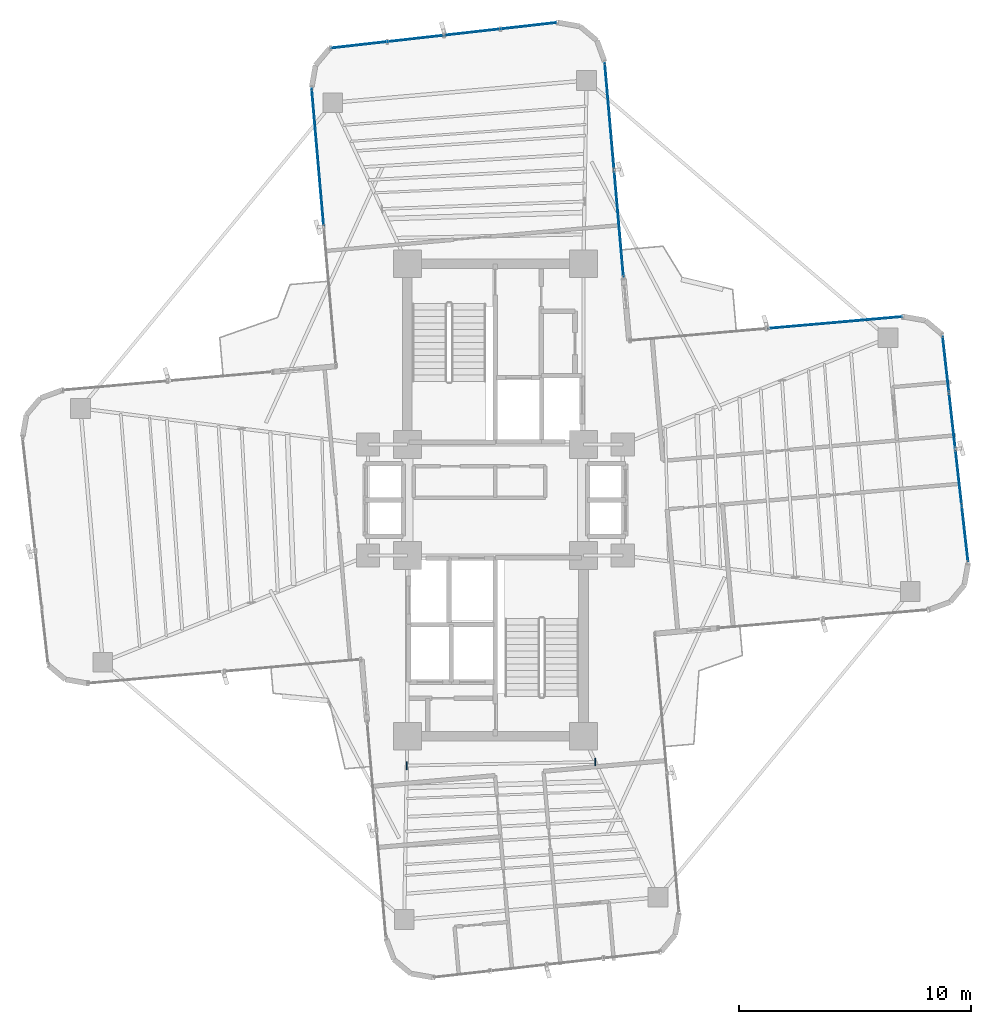
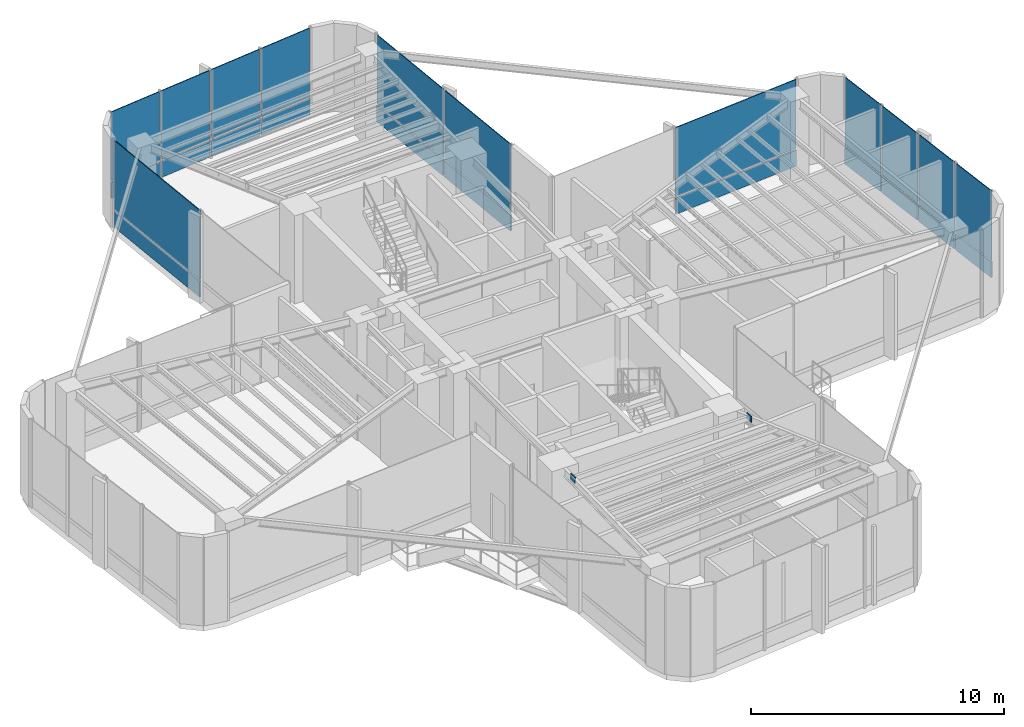
# One storey, part 14 of 19: 26 plates, 5 elements without a shape of their own.
"""IFC4 building model written with IfcOpenShell, lengths in metres."""

from ifc_helpers import new_model, si_unit, direction, frame, origin, origin_2d, place, context, subcontext, project, spatial, rectangle, extrude, source, transform, mapped, material, layer, layer_set, type_object, element, aggregate, save


model = new_model("IFC4")

# Units and contexts
model_context = context("Model", 3, precision=1e-05, world=origin(), true_north=direction((0.0, 1.0)))
body_context = subcontext(model_context, "Body", "Model", "MODEL_VIEW")
ifc_project = project(units=[si_unit("LENGTHUNIT", "METRE"), si_unit("AREAUNIT", "SQUARE_METRE"), si_unit("VOLUMEUNIT", "CUBIC_METRE"), si_unit("PLANEANGLEUNIT", "RADIAN"), si_unit("MASSUNIT", "GRAM", prefix="KILO")], contexts=[model_context])

# Site, building, storey
site_placement = place(None, origin())
site = spatial("IfcSite", under=ifc_project, at=site_placement, CompositionType="ELEMENT")
building_placement = place(site_placement, origin())
building = spatial("IfcBuilding", under=site, at=building_placement, Name="Sahyath Konkavel Grand Hotel", CompositionType="ELEMENT")
storey_placement = place(building_placement, frame((0.0, 0.0, 142.75)))
storey = spatial("IfcBuildingStorey", under=building, at=storey_placement, Name="L39", CompositionType="ELEMENT", Elevation=142.75)

# Plates
ifc_material_1 = material(Name="Steel E450", Category="steel")
plate_type_1 = type_object("IfcPlateType", Name="GUSSET-END-35", PredefinedType="USERDEFINED", material=ifc_material_1)
shared_shape_1 = source(origin(), body_context, "Body", "SweptSolid", [
    extrude(rectangle(XDim=0.0400390625, YDim=0.340087890625, at=origin_2d()), origin(), (0.0, 0.0, 1.0), 0.300048828125),
])
for number, where, z_axis, x_axis, name in (
    (1, (-3.82177734375, -11.4658203125, 4.0), (0.0, 0.0, 1.0), (0.999822352381, 0.018848439715, 0.0), "L39 Sub-Beam S-1 End Cap A"),
    (2, (4.3154296875, -11.3125, 4.0), (0.0, 0.0, 1.0), (0.999822352381, 0.018848439715, 0.0), "L39 Sub-Beam S-1 End Cap B"),
):
    element("IfcPlate", number, at=place(storey_placement, frame(where, z_axis=z_axis, x_axis=x_axis)), inside=storey, type_object=plate_type_1, Name=name, ObjectType="GUSSET_PLATE", PredefinedType="USERDEFINED", context=body_context, shape_type="MappedRepresentation", body=[
        mapped(shared_shape_1, transform((0.0, 0.0, 0.0), scale=1.0)),
    ])

# Curtain wall, plates
ifc_material_2 = material(Name="Anodised Bronze Aluminium & Low-E Glazing", Category="aluminium")
curtain_wall_type = type_object("IfcCurtainWallType", Name="CW-SKYLOBBY", PredefinedType="NOTDEFINED", material=ifc_material_2)
curtain_wall_1_placement = place(storey_placement, origin())
curtain_wall_1 = element("IfcCurtainWall", 3, at=curtain_wall_1_placement, inside=storey, type_object=curtain_wall_type, Name="L39 Unitised Curtain Wall F4", PredefinedType="NOTDEFINED")
ifc_material_3 = material(Name="Warm Buff Sandstone Cladding", Category="masonry")
ifc_layer_1 = layer(ifc_material_3, 0.074951171875)
ifc_layer_set_1 = layer_set([ifc_layer_1], Name="Warm Buff Sandstone Cladding")
plate_type_2 = type_object("IfcPlateType", Name="PNL-SPANDREL-STONE", PredefinedType="SHEET", material=ifc_layer_set_1)
shared_shape_2 = source(origin(), body_context, "Body", "SweptSolid", [
    extrude(rectangle(XDim=2.382080078125, YDim=0.074951171875, at=origin_2d()), origin(), (0.0, 0.0, 1.0), 0.77001953125),
])
plate_1_placement = place(storey_placement, frame((20.2734375, -1.468017578125, 0.0400390625), z_axis=(0.0, 0.0, 1.0), x_axis=(-0.111989252568, 0.993709417943, 0.0)))
plate_1 = element("IfcPlate", 4, at=plate_1_placement, type_object=plate_type_2, Name="L39 Sandstone Relief Spandrel Panel F4-0", PredefinedType="SHEET", context=body_context, shape_type="MappedRepresentation", body=[
    mapped(shared_shape_2, transform((0.0, 0.0, 0.0), scale=1.0)),
])
plate_2_placement = place(storey_placement, frame((19.99755859375, 0.978515625, 0.0400390625), z_axis=(0.0, 0.0, 1.0), x_axis=(-0.111989252568, 0.993709417943, 0.0)))
plate_2 = element("IfcPlate", 5, at=plate_2_placement, type_object=plate_type_2, Name="L39 Sandstone Relief Spandrel Panel F4-1", PredefinedType="SHEET", context=body_context, shape_type="MappedRepresentation", body=[
    mapped(shared_shape_2, transform((0.0, 0.0, 0.0), scale=1.0)),
])
plate_3_placement = place(storey_placement, frame((19.7216796875, 3.425048828125, 0.0400390625), z_axis=(0.0, 0.0, 1.0), x_axis=(-0.111989252568, 0.993709417943, 0.0)))
plate_3 = element("IfcPlate", 6, at=plate_3_placement, type_object=plate_type_2, Name="L39 Sandstone Relief Spandrel Panel F4-2", PredefinedType="SHEET", context=body_context, shape_type="MappedRepresentation", body=[
    mapped(shared_shape_2, transform((0.0, 0.0, 0.0), scale=1.0)),
])
plate_4_placement = place(storey_placement, frame((19.446044921875, 5.87158203125, 0.0400390625), z_axis=(0.0, 0.0, 1.0), x_axis=(-0.111989252568, 0.993709417943, 0.0)))
plate_4 = element("IfcPlate", 7, at=plate_4_placement, type_object=plate_type_2, Name="L39 Sandstone Relief Spandrel Panel F4-3", PredefinedType="SHEET", context=body_context, shape_type="MappedRepresentation", body=[
    mapped(shared_shape_2, transform((0.0, 0.0, 0.0), scale=1.0)),
])

curtain_wall_2_placement = place(storey_placement, origin())
curtain_wall_2 = element("IfcCurtainWall", 8, at=curtain_wall_2_placement, inside=storey, type_object=curtain_wall_type, Name="L39 Unitised Curtain Wall F12", PredefinedType="NOTDEFINED")
plate_5_placement = place(storey_placement, frame((1.45068359375, 20.47265625, 0.0400390625), z_axis=(0.0, 0.0, 1.0), x_axis=(-0.993707463211, -0.112006596052, 0.0)))
plate_5 = element("IfcPlate", 9, at=plate_5_placement, type_object=plate_type_2, Name="L39 Sandstone Relief Spandrel Panel F12-0", PredefinedType="SHEET", context=body_context, shape_type="MappedRepresentation", body=[
    mapped(shared_shape_2, transform((0.0, 0.0, 0.0), scale=1.0)),
])
plate_6_placement = place(storey_placement, frame((-0.995849609375, 20.197021484375, 0.0400390625), z_axis=(0.0, 0.0, 1.0), x_axis=(-0.993707463211, -0.112006596052, 0.0)))
plate_6 = element("IfcPlate", 10, at=plate_6_placement, type_object=plate_type_2, Name="L39 Sandstone Relief Spandrel Panel F12-1", PredefinedType="SHEET", context=body_context, shape_type="MappedRepresentation", body=[
    mapped(shared_shape_2, transform((0.0, 0.0, 0.0), scale=1.0)),
])
plate_7_placement = place(storey_placement, frame((-3.4423828125, 19.921142578125, 0.0400390625), z_axis=(0.0, 0.0, 1.0), x_axis=(-0.993707463211, -0.112006596052, 0.0)))
plate_7 = element("IfcPlate", 11, at=plate_7_placement, type_object=plate_type_2, Name="L39 Sandstone Relief Spandrel Panel F12-2", PredefinedType="SHEET", context=body_context, shape_type="MappedRepresentation", body=[
    mapped(shared_shape_2, transform((0.0, 0.0, 0.0), scale=1.0)),
])
plate_8_placement = place(storey_placement, frame((-5.888916015625, 19.6455078125, 0.0400390625), z_axis=(0.0, 0.0, 1.0), x_axis=(-0.993707463211, -0.112006596052, 0.0)))
plate_8 = element("IfcPlate", 12, at=plate_8_placement, type_object=plate_type_2, Name="L39 Sandstone Relief Spandrel Panel F12-3", PredefinedType="SHEET", context=body_context, shape_type="MappedRepresentation", body=[
    mapped(shared_shape_2, transform((0.0, 0.0, 0.0), scale=1.0)),
])

# Plate
ifc_material_4 = material(Name="Low-E Solar Control Double Glazing", Category="glass")
ifc_layer_2 = layer(ifc_material_4, 0.035888671875)
ifc_layer_set_2 = layer_set([ifc_layer_2], Name="Low-E Solar Control Double Glazing")
plate_type_3 = type_object("IfcPlateType", Name="PNL-VISION-LOWE", PredefinedType="CURTAIN_PANEL", material=ifc_layer_set_2)
shared_shape_3 = source(origin(), body_context, "Body", "SweptSolid", [
    extrude(rectangle(XDim=2.382080078125, YDim=0.035888671875, at=origin_2d()), origin(), (0.0, 0.0, 1.0), 3.330078125),
])
plate_9_placement = place(storey_placement, frame((20.2734375, -1.468017578125, 0.889892578125), z_axis=(0.0, 0.0, 1.0), x_axis=(-0.111989252568, 0.993709417943, 0.0)))
plate_9 = element("IfcPlate", 13, at=plate_9_placement, type_object=plate_type_3, Name="L39 Low-E Vision Glazing Panel F4-0", PredefinedType="CURTAIN_PANEL", context=body_context, shape_type="MappedRepresentation", body=[
    mapped(shared_shape_3, transform((0.0, 0.0, 0.0), scale=1.0)),
])

plate_10_placement = place(storey_placement, frame((19.99755859375, 0.978515625, 0.889892578125), z_axis=(0.0, 0.0, 1.0), x_axis=(-0.111989252568, 0.993709417943, 0.0)))
plate_10 = element("IfcPlate", 14, at=plate_10_placement, type_object=plate_type_3, Name="L39 Low-E Vision Glazing Panel F4-1", PredefinedType="CURTAIN_PANEL", context=body_context, shape_type="MappedRepresentation", body=[
    mapped(shared_shape_3, transform((0.0, 0.0, 0.0), scale=1.0)),
])

plate_11_placement = place(storey_placement, frame((19.7216796875, 3.425048828125, 0.889892578125), z_axis=(0.0, 0.0, 1.0), x_axis=(-0.111989252568, 0.993709417943, 0.0)))
plate_11 = element("IfcPlate", 15, at=plate_11_placement, type_object=plate_type_3, Name="L39 Low-E Vision Glazing Panel F4-2", PredefinedType="CURTAIN_PANEL", context=body_context, shape_type="MappedRepresentation", body=[
    mapped(shared_shape_3, transform((0.0, 0.0, 0.0), scale=1.0)),
])

plate_12_placement = place(storey_placement, frame((19.446044921875, 5.87158203125, 0.889892578125), z_axis=(0.0, 0.0, 1.0), x_axis=(-0.111989252568, 0.993709417943, 0.0)))
plate_12 = element("IfcPlate", 16, at=plate_12_placement, type_object=plate_type_3, Name="L39 Low-E Vision Glazing Panel F4-3", PredefinedType="CURTAIN_PANEL", context=body_context, shape_type="MappedRepresentation", body=[
    mapped(shared_shape_3, transform((0.0, 0.0, 0.0), scale=1.0)),
])

aggregate(curtain_wall_1, [plate_1, plate_9, plate_2, plate_10, plate_3, plate_11, plate_4, plate_12])

plate_13_placement = place(storey_placement, frame((1.45068359375, 20.47265625, 0.889892578125), z_axis=(0.0, 0.0, 1.0), x_axis=(-0.993707463211, -0.112006596052, 0.0)))
plate_13 = element("IfcPlate", 17, at=plate_13_placement, type_object=plate_type_3, Name="L39 Low-E Vision Glazing Panel F12-0", PredefinedType="CURTAIN_PANEL", context=body_context, shape_type="MappedRepresentation", body=[
    mapped(shared_shape_3, transform((0.0, 0.0, 0.0), scale=1.0)),
])

plate_14_placement = place(storey_placement, frame((-0.995849609375, 20.197021484375, 0.889892578125), z_axis=(0.0, 0.0, 1.0), x_axis=(-0.993707463211, -0.112006596052, 0.0)))
plate_14 = element("IfcPlate", 18, at=plate_14_placement, type_object=plate_type_3, Name="L39 Low-E Vision Glazing Panel F12-1", PredefinedType="CURTAIN_PANEL", context=body_context, shape_type="MappedRepresentation", body=[
    mapped(shared_shape_3, transform((0.0, 0.0, 0.0), scale=1.0)),
])

plate_15_placement = place(storey_placement, frame((-3.4423828125, 19.921142578125, 0.889892578125), z_axis=(0.0, 0.0, 1.0), x_axis=(-0.993707463211, -0.112006596052, 0.0)))
plate_15 = element("IfcPlate", 19, at=plate_15_placement, type_object=plate_type_3, Name="L39 Low-E Vision Glazing Panel F12-2", PredefinedType="CURTAIN_PANEL", context=body_context, shape_type="MappedRepresentation", body=[
    mapped(shared_shape_3, transform((0.0, 0.0, 0.0), scale=1.0)),
])

plate_16_placement = place(storey_placement, frame((-5.888916015625, 19.6455078125, 0.889892578125), z_axis=(0.0, 0.0, 1.0), x_axis=(-0.993707463211, -0.112006596052, 0.0)))
plate_16 = element("IfcPlate", 20, at=plate_16_placement, type_object=plate_type_3, Name="L39 Low-E Vision Glazing Panel F12-3", PredefinedType="CURTAIN_PANEL", context=body_context, shape_type="MappedRepresentation", body=[
    mapped(shared_shape_3, transform((0.0, 0.0, 0.0), scale=1.0)),
])

aggregate(curtain_wall_2, [plate_5, plate_13, plate_6, plate_14, plate_7, plate_15, plate_8, plate_16])

# Curtain wall, plates
curtain_wall_3_placement = place(storey_placement, origin())
curtain_wall_3 = element("IfcCurtainWall", 21, at=curtain_wall_3_placement, inside=storey, type_object=curtain_wall_type, Name="L39 Unitised Curtain Wall F7", PredefinedType="NOTDEFINED")
shared_shape_4 = source(origin(), body_context, "Body", "SweptSolid", [
    extrude(rectangle(XDim=5.830078125, YDim=0.074951171875, at=origin_2d()), origin(), (0.0, 0.0, 1.0), 0.77001953125),
])
plate_17_placement = place(storey_placement, frame((14.6435546875, 7.655517578125, 0.0400390625), z_axis=(0.0, 0.0, 1.0), x_axis=(-0.996194698092, -0.087155742748, 0.0)))
plate_17 = element("IfcPlate", 22, at=plate_17_placement, type_object=plate_type_2, Name="L39 Sandstone Relief Spandrel Panel F7-0", PredefinedType="SHEET", context=body_context, shape_type="MappedRepresentation", body=[
    mapped(shared_shape_4, transform((0.0, 0.0, 0.0), scale=1.0)),
])
shared_shape_5 = source(origin(), body_context, "Body", "SweptSolid", [
    extrude(rectangle(XDim=5.830078125, YDim=0.035888671875, at=origin_2d()), origin(), (0.0, 0.0, 1.0), 3.330078125),
])
plate_18_placement = place(storey_placement, frame((14.6435546875, 7.655517578125, 0.889892578125), z_axis=(0.0, 0.0, 1.0), x_axis=(-0.996194698092, -0.087155742748, 0.0)))
plate_18 = element("IfcPlate", 23, at=plate_18_placement, type_object=plate_type_3, Name="L39 Low-E Vision Glazing Panel F7-0", PredefinedType="CURTAIN_PANEL", context=body_context, shape_type="MappedRepresentation", body=[
    mapped(shared_shape_5, transform((0.0, 0.0, 0.0), scale=1.0)),
])
aggregate(curtain_wall_3, [plate_17, plate_18])

curtain_wall_4_placement = place(storey_placement, origin())
curtain_wall_4 = element("IfcCurtainWall", 24, at=curtain_wall_4_placement, inside=storey, type_object=curtain_wall_type, Name="L39 Unitised Curtain Wall F8", PredefinedType="NOTDEFINED")
shared_shape_6 = source(origin(), body_context, "Body", "SweptSolid", [
    extrude(rectangle(XDim=4.580078125, YDim=0.074951171875, at=origin_2d()), origin(), (0.0, 0.0, 1.0), 0.77001953125),
])
plate_19_placement = place(storey_placement, frame((5.33056640625, 11.929931640625, 0.0400390625), z_axis=(0.0, 0.0, 1.0), x_axis=(-0.087155742748, 0.996194698092, 0.0)))
plate_19 = element("IfcPlate", 25, at=plate_19_placement, type_object=plate_type_2, Name="L39 Sandstone Relief Spandrel Panel F8-0", PredefinedType="SHEET", context=body_context, shape_type="MappedRepresentation", body=[
    mapped(shared_shape_6, transform((0.0, 0.0, 0.0), scale=1.0)),
])
plate_20_placement = place(storey_placement, frame((4.92431640625, 16.572265625, 0.0400390625), z_axis=(0.0, 0.0, 1.0), x_axis=(-0.087155742748, 0.996194698092, 0.0)))
plate_20 = element("IfcPlate", 26, at=plate_20_placement, type_object=plate_type_2, Name="L39 Sandstone Relief Spandrel Panel F8-1", PredefinedType="SHEET", context=body_context, shape_type="MappedRepresentation", body=[
    mapped(shared_shape_6, transform((0.0, 0.0, 0.0), scale=1.0)),
])
shared_shape_7 = source(origin(), body_context, "Body", "SweptSolid", [
    extrude(rectangle(XDim=4.580078125, YDim=0.035888671875, at=origin_2d()), origin(), (0.0, 0.0, 1.0), 3.330078125),
])
plate_21_placement = place(storey_placement, frame((5.33056640625, 11.929931640625, 0.889892578125), z_axis=(0.0, 0.0, 1.0), x_axis=(-0.087155742748, 0.996194698092, 0.0)))
plate_21 = element("IfcPlate", 27, at=plate_21_placement, type_object=plate_type_3, Name="L39 Low-E Vision Glazing Panel F8-0", PredefinedType="CURTAIN_PANEL", context=body_context, shape_type="MappedRepresentation", body=[
    mapped(shared_shape_7, transform((0.0, 0.0, 0.0), scale=1.0)),
])
plate_22_placement = place(storey_placement, frame((4.92431640625, 16.572265625, 0.889892578125), z_axis=(0.0, 0.0, 1.0), x_axis=(-0.087155742748, 0.996194698092, 0.0)))
plate_22 = element("IfcPlate", 28, at=plate_22_placement, type_object=plate_type_3, Name="L39 Low-E Vision Glazing Panel F8-1", PredefinedType="CURTAIN_PANEL", context=body_context, shape_type="MappedRepresentation", body=[
    mapped(shared_shape_7, transform((0.0, 0.0, 0.0), scale=1.0)),
])
aggregate(curtain_wall_4, [plate_19, plate_21, plate_20, plate_22])

curtain_wall_5_placement = place(storey_placement, origin())
curtain_wall_5 = element("IfcCurtainWall", 29, at=curtain_wall_5_placement, inside=storey, type_object=curtain_wall_type, Name="L39 Unitised Curtain Wall F15", PredefinedType="NOTDEFINED")
shared_shape_8 = source(origin(), body_context, "Body", "SweptSolid", [
    extrude(rectangle(XDim=5.929931640625, YDim=0.074951171875, at=origin_2d()), origin(), (0.0, 0.0, 1.0), 0.77001953125),
])
plate_23_placement = place(storey_placement, frame((-7.66845703125, 14.79296875, 0.0400390625), z_axis=(0.0, 0.0, 1.0), x_axis=(0.087155742748, -0.996194698092, 0.0)))
plate_23 = element("IfcPlate", 30, at=plate_23_placement, type_object=plate_type_2, Name="L39 Sandstone Relief Spandrel Panel F15-0", PredefinedType="SHEET", context=body_context, shape_type="MappedRepresentation", body=[
    mapped(shared_shape_8, transform((0.0, 0.0, 0.0), scale=1.0)),
])
shared_shape_9 = source(origin(), body_context, "Body", "SweptSolid", [
    extrude(rectangle(XDim=5.929931640625, YDim=0.035888671875, at=origin_2d()), origin(), (0.0, 0.0, 1.0), 3.330078125),
])
plate_24_placement = place(storey_placement, frame((-7.66845703125, 14.79296875, 0.889892578125), z_axis=(0.0, 0.0, 1.0), x_axis=(0.087155742748, -0.996194698092, 0.0)))
plate_24 = element("IfcPlate", 31, at=plate_24_placement, type_object=plate_type_3, Name="L39 Low-E Vision Glazing Panel F15-0", PredefinedType="CURTAIN_PANEL", context=body_context, shape_type="MappedRepresentation", body=[
    mapped(shared_shape_9, transform((0.0, 0.0, 0.0), scale=1.0)),
])
aggregate(curtain_wall_5, [plate_23, plate_24])

save(model, "model.ifc")
